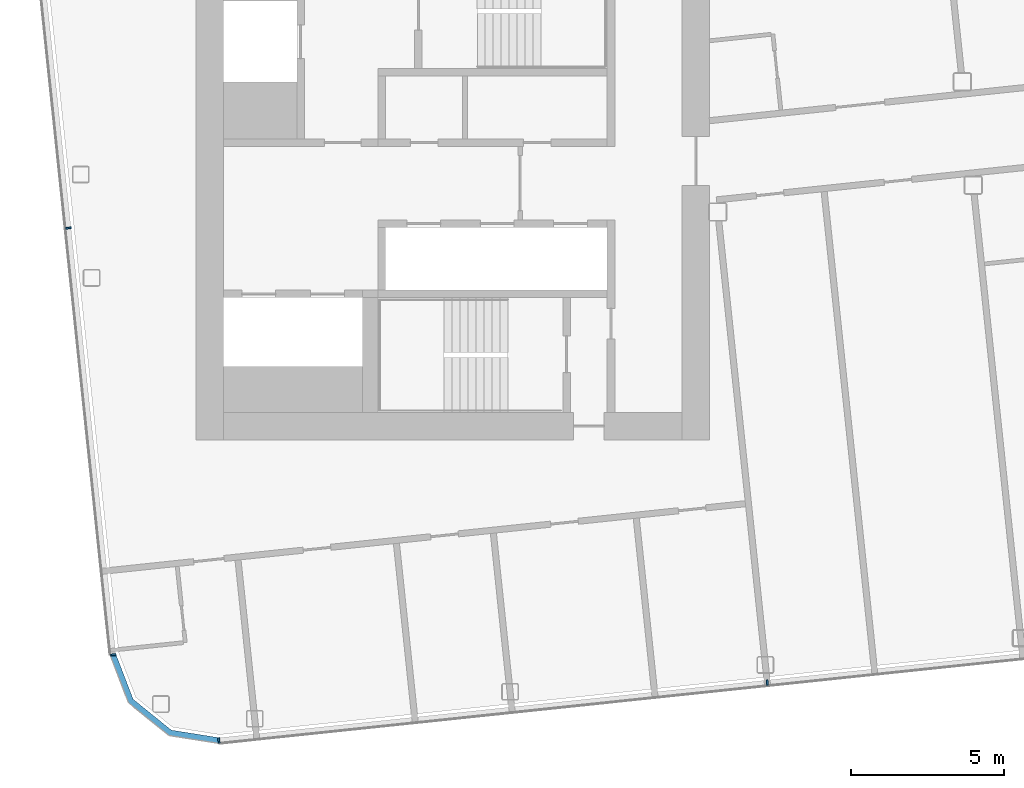
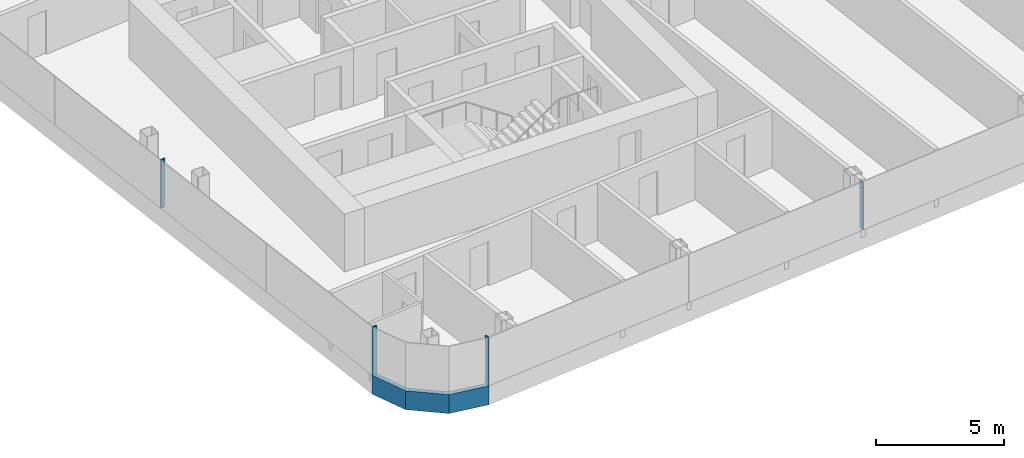
# One storey, part 3 of 27: 5 members, 3 elements without a shape of their own.
"""IFC4 building model written with IfcOpenShell, lengths in metres."""

from ifc_helpers import new_model, si_unit, direction, frame, origin, origin_2d, place, context, subcontext, project, spatial, polyline, rectangle, outline, extrude, material, layer, layer_set, material_profile, profile_set, type_object, element, aggregate, save


model = new_model("IFC4")

# Units and contexts
model_context = context("Model", 3, precision=1e-05, world=origin(), true_north=direction((0.0, 1.0)))
body_context = subcontext(model_context, "Body", "Model", "MODEL_VIEW")
ifc_project = project(units=[si_unit("LENGTHUNIT", "METRE"), si_unit("AREAUNIT", "SQUARE_METRE"), si_unit("VOLUMEUNIT", "CUBIC_METRE"), si_unit("PLANEANGLEUNIT", "RADIAN"), si_unit("MASSUNIT", "GRAM", prefix="KILO")], contexts=[model_context])

# Site, building, storey
site_placement = place(None, origin())
site = spatial("IfcSite", under=ifc_project, at=site_placement, CompositionType="ELEMENT")
building_placement = place(site_placement, origin())
building = spatial("IfcBuilding", under=site, at=building_placement, Name="Hakoniwa Tower and Hamabe Station Hall", CompositionType="ELEMENT")
storey_placement = place(building_placement, frame((0.0, 0.0, 255.0)))
storey = spatial("IfcBuildingStorey", under=building, at=storey_placement, Name="L72", CompositionType="ELEMENT", Elevation=255.0)

# Curtain wall, member
ifc_material_1 = material(Name="Dark low-e laminated glass", Category="glass")
ifc_layer = layer(ifc_material_1, 0.199951171875)
ifc_layer_set = layer_set([ifc_layer], Name="CW-1 UNITISED GUEST")
curtain_wall_type = type_object("IfcCurtainWallType", Name="CW-1 UNITISED GUEST", PredefinedType="NOTDEFINED", material=ifc_layer_set)
curtain_wall_1_placement = place(storey_placement, origin())
curtain_wall_1 = element("IfcCurtainWall", 1, at=curtain_wall_1_placement, inside=storey, type_object=curtain_wall_type, Name="CW-1 curtain wall", PredefinedType="NOTDEFINED")
ifc_material_2 = material(Name="Aluminium 6063-T5 black anodised", Category="aluminium")
ifc_material_profile_1 = material_profile(ifc_material_2, rectangle(XDim=0.199951171875, YDim=0.89990234375, at=origin_2d()), Name="CW SLAB-EDGE BAND 900X200")
ifc_profile_set_1 = profile_set([ifc_material_profile_1], Name="Aluminium 6063-T5 black anodised")
member_type_1 = type_object("IfcMemberType", Name="CW SLAB-EDGE BAND 900X200", PredefinedType="USERDEFINED", material=ifc_profile_set_1)
member_1_placement = place(storey_placement, frame((0.0, 0.0, -0.550048828125)))
member_1 = element("IfcMember", 2, at=member_1_placement, type_object=member_type_1, Name="CW-1 transom", ObjectType="TRANSOM", PredefinedType="USERDEFINED", context=body_context, shape_type="SweptSolid", body=[
    extrude(outline(polyline([(-36.423828125, -15.445068359375), (-35.82421875, -17.0068359375), (-34.492431640625, -18.085205078125), (-32.84033203125, -18.346923828125), (-32.80908203125, -18.1494140625), (-34.408203125, -17.89599609375), (-35.65673828125, -16.885009765625), (-36.237060546875, -15.37353515625), (-36.423828125, -15.445068359375)])), origin(), (0.0, 0.0, 1.0), 0.900146484375),
])
aggregate(curtain_wall_1, [member_1])

# Curtain wall, members
curtain_wall_2_placement = place(storey_placement, origin())
curtain_wall_2 = element("IfcCurtainWall", 3, at=curtain_wall_2_placement, inside=storey, type_object=curtain_wall_type, Name="CW-1 curtain wall", PredefinedType="NOTDEFINED")
ifc_material_3 = material(Name="Aluminium 6063-T5 black anodised", Category="aluminium")
ifc_material_profile_2 = material_profile(ifc_material_3, rectangle(XDim=0.06005859375, YDim=0.179931640625, at=origin_2d()), Name="CW-1 MULLION 60X180")
ifc_profile_set_2 = profile_set([ifc_material_profile_2], Name="Aluminium 6063-T5 black anodised")
member_type_2 = type_object("IfcMemberType", Name="CW-1 MULLION 60X180", PredefinedType="MULLION", material=ifc_profile_set_2)
member_2_placement = place(storey_placement, frame((-37.77392578125, -1.47021484375, 0.35009765625), z_axis=(0.0, 0.0, 1.0), x_axis=(0.104528468631, -0.994521894805, 0.0)))
member_2 = element("IfcMember", 4, at=member_2_placement, type_object=member_type_2, Name="CW-1 mullion", PredefinedType="MULLION", context=body_context, shape_type="SweptSolid", body=[
    extrude(rectangle(XDim=0.06005859375, YDim=0.179931640625, at=origin_2d()), origin(), (0.0, 0.0, 1.0), 2.2998046875),
])
member_3_placement = place(storey_placement, frame((-36.306396484375, -15.432861328125, 0.35009765625), z_axis=(0.0, 0.0, 1.0), x_axis=(0.104528468631, -0.994521894805, 0.0)))
member_3 = element("IfcMember", 5, at=member_3_placement, type_object=member_type_2, Name="CW-1 mullion", PredefinedType="MULLION", context=body_context, shape_type="SweptSolid", body=[
    extrude(rectangle(XDim=0.06005859375, YDim=0.179931640625, at=origin_2d()), origin(), (0.0, 0.0, 1.0), 2.2998046875),
])
aggregate(curtain_wall_2, [member_2, member_3])

curtain_wall_3_placement = place(storey_placement, origin())
curtain_wall_3 = element("IfcCurtainWall", 6, at=curtain_wall_3_placement, inside=storey, type_object=curtain_wall_type, Name="CW-1 curtain wall", PredefinedType="NOTDEFINED")
member_4_placement = place(storey_placement, frame((-32.8525390625, -18.2294921875, 0.35009765625), z_axis=(0.0, 0.0, 1.0), x_axis=(0.994521895272, 0.104528464188, 0.0)))
member_4 = element("IfcMember", 7, at=member_4_placement, type_object=member_type_2, Name="CW-1 mullion", PredefinedType="MULLION", context=body_context, shape_type="SweptSolid", body=[
    extrude(rectangle(XDim=0.06005859375, YDim=0.179931640625, at=origin_2d()), origin(), (0.0, 0.0, 1.0), 2.2998046875),
])
member_5_placement = place(storey_placement, frame((-14.911865234375, -16.343994140625, 0.35009765625), z_axis=(0.0, 0.0, 1.0), x_axis=(0.994521895272, 0.104528464188, 0.0)))
member_5 = element("IfcMember", 8, at=member_5_placement, type_object=member_type_2, Name="CW-1 mullion", PredefinedType="MULLION", context=body_context, shape_type="SweptSolid", body=[
    extrude(rectangle(XDim=0.06005859375, YDim=0.179931640625, at=origin_2d()), origin(), (0.0, 0.0, 1.0), 2.2998046875),
])
aggregate(curtain_wall_3, [member_4, member_5])

save(model, "model.ifc")
